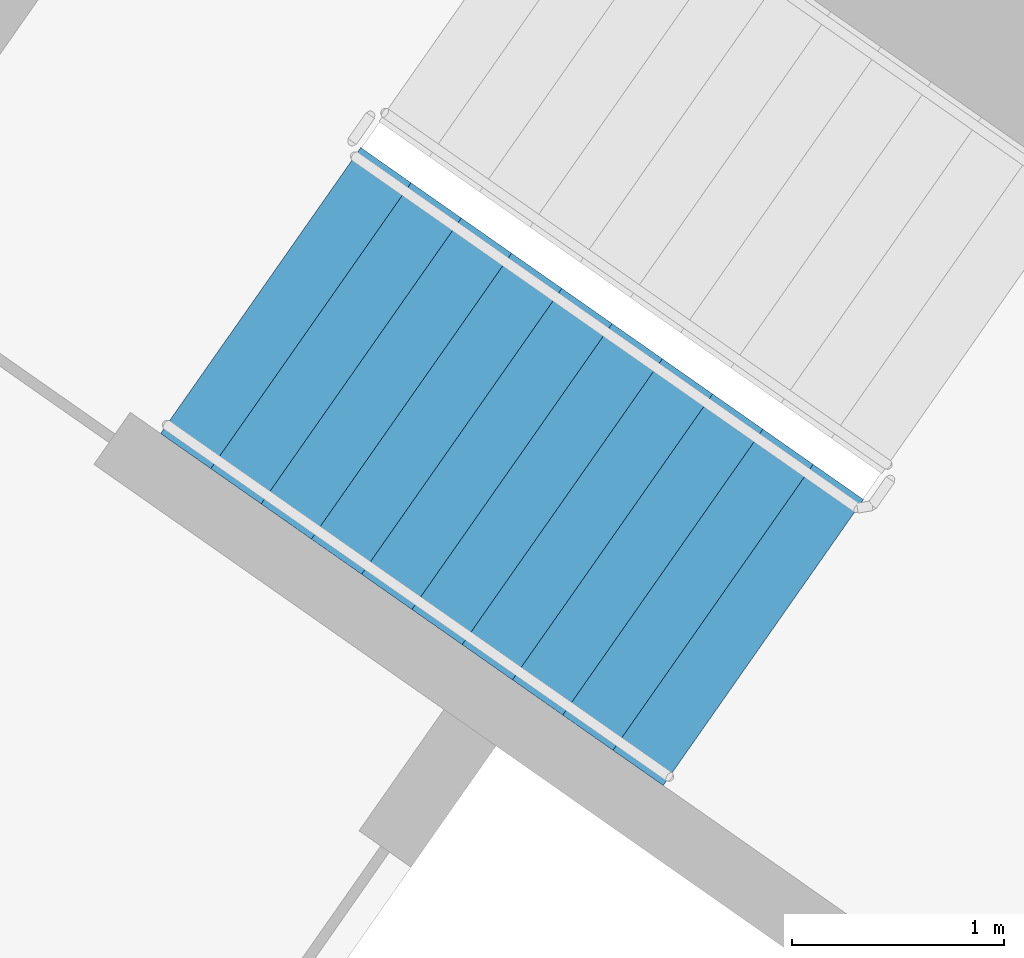
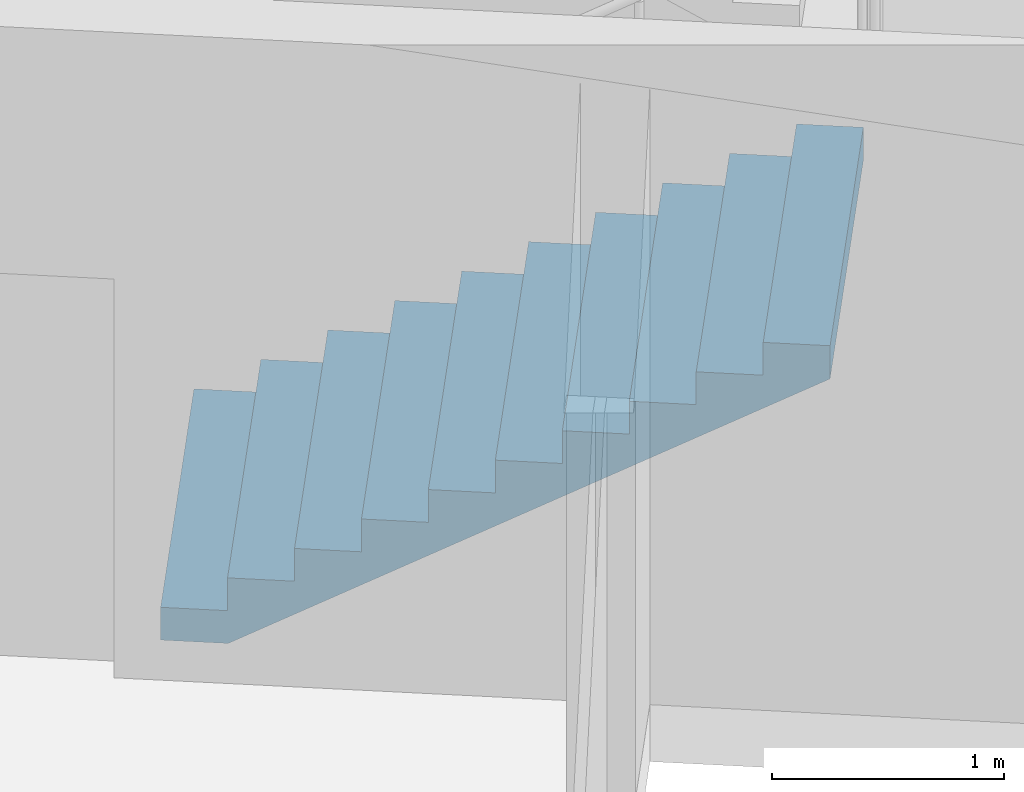
# One storey, part 11 of 27: 1 stair flight, 1 element without a shape of its own.
"""IFC4 building model written with IfcOpenShell, lengths in metres."""

from ifc_helpers import new_model, si_unit, direction, frame, origin, place, context, subcontext, project, spatial, faceted_brep, material, type_object, element, aggregate, save


model = new_model("IFC4")

# Units and contexts
model_context = context("Model", 3, precision=1e-05, world=origin(), true_north=direction((0.0, 1.0)))
body_context = subcontext(model_context, "Body", "Model", "MODEL_VIEW")
ifc_project = project(units=[si_unit("LENGTHUNIT", "METRE"), si_unit("AREAUNIT", "SQUARE_METRE"), si_unit("VOLUMEUNIT", "CUBIC_METRE"), si_unit("PLANEANGLEUNIT", "RADIAN"), si_unit("MASSUNIT", "GRAM", prefix="KILO")], contexts=[model_context])

# Site, building, storey
site_placement = place(None, origin())
site = spatial("IfcSite", under=ifc_project, at=site_placement, CompositionType="ELEMENT")
building_placement = place(site_placement, origin())
building = spatial("IfcBuilding", under=site, at=building_placement, Name="Qamariyya Broadcast Tower", CompositionType="ELEMENT")
storey_placement = place(building_placement, frame((0.0, 0.0, 194.89990234375)))
storey = spatial("IfcBuildingStorey", under=building, at=storey_placement, Name="L46", CompositionType="ELEMENT", Elevation=194.89990234375)

# Stair, stair flight
ifc_material = material(Name="Concrete C50/60", Category="concrete")
stair_type = type_object("IfcStairType", Name="Exit stair 22 risers of 173 mm", PredefinedType="HALF_TURN_STAIR", material=ifc_material)
stair_placement = place(storey_placement, origin())
stair = element("IfcStair", 1, at=stair_placement, inside=storey, type_object=stair_type, Name="L46 Stair W2", PredefinedType="HALF_TURN_STAIR")
stair_flight_type = type_object("IfcStairFlightType", Name="Exit stair flight 11 risers of 173 mm", PredefinedType="STRAIGHT", material=ifc_material)
stair_flight_placement = place(storey_placement, frame((-41.59130859375, -49.15966796875, 0.0), z_axis=(0.0, 0.0, 1.0), x_axis=(0.819152044289, -0.573576436351, 0.0)))
stair_flight = element("IfcStairFlight", 2, at=stair_flight_placement, type_object=stair_flight_type, Name="ST-W2 flight 1", NumberOfRisers=11, NumberOfTreads=10, PredefinedType="STRAIGHT", RiserHeight=0.172727273, TreadLength=0.29, context=body_context, shape_type="Brep", body=[
    faceted_brep([(0.0, 0.824951171875, 0.0), (0.0, 0.824951171875, 0.172607421875), (0.2900390625, 0.824951171875, 0.172607421875), (0.2900390625, 0.824951171875, 0.345458984375), (0.580078125, 0.824951171875, 0.345458984375), (0.580078125, 0.824951171875, 0.51806640625), (0.8701171875, 0.824951171875, 0.51806640625), (0.8701171875, 0.824951171875, 0.69091796875), (1.159912109375, 0.824951171875, 0.69091796875), (1.159912109375, 0.824951171875, 0.863525390625), (1.449951171875, 0.824951171875, 0.863525390625), (1.449951171875, 0.824951171875, 1.036376953125), (1.739990234375, 0.824951171875, 1.036376953125), (1.739990234375, 0.824951171875, 1.208984375), (2.030029296875, 0.824951171875, 1.208984375), (2.030029296875, 0.824951171875, 1.3818359375), (2.320068359375, 0.824951171875, 1.3818359375), (2.320068359375, 0.824951171875, 1.554443359375), (2.610107421875, 0.824951171875, 1.554443359375), (2.610107421875, 0.824951171875, 1.727294921875), (2.89990234375, 0.824951171875, 1.727294921875), (2.89990234375, 0.824951171875, 1.552734375), (0.29296875, 0.824951171875, 0.0), (0.29296875, -0.824951171875, 0.0), (2.89990234375, -0.824951171875, 1.552734375), (2.89990234375, -0.824951171875, 1.727294921875), (2.610107421875, -0.824951171875, 1.727294921875), (2.610107421875, -0.824951171875, 1.554443359375), (2.320068359375, -0.824951171875, 1.554443359375), (2.320068359375, -0.824951171875, 1.3818359375), (2.030029296875, -0.824951171875, 1.3818359375), (2.030029296875, -0.824951171875, 1.208984375), (1.739990234375, -0.824951171875, 1.208984375), (1.739990234375, -0.824951171875, 1.036376953125), (1.449951171875, -0.824951171875, 1.036376953125), (1.449951171875, -0.824951171875, 0.863525390625), (1.159912109375, -0.824951171875, 0.863525390625), (1.159912109375, -0.824951171875, 0.69091796875), (0.8701171875, -0.824951171875, 0.69091796875), (0.8701171875, -0.824951171875, 0.51806640625), (0.580078125, -0.824951171875, 0.51806640625), (0.580078125, -0.824951171875, 0.345458984375), (0.2900390625, -0.824951171875, 0.345458984375), (0.2900390625, -0.824951171875, 0.172607421875), (0.0, -0.824951171875, 0.172607421875), (0.0, -0.824951171875, 0.0), (0.0, 0.10009765625, 0.0), (0.0, 0.086669921875, 0.0), (0.0, 0.0732421875, 0.0), (0.0, 0.06005859375, 0.0), (0.0, 0.046630859375, 0.0), (0.0, 0.033447265625, 0.0), (0.0, 0.02001953125, 0.0), (0.0, 0.006591796875, 0.0), (0.0, -0.006591796875, 0.0), (0.0, -0.02001953125, 0.0), (0.0, -0.033447265625, 0.0), (0.0, -0.046630859375, 0.0), (0.0, -0.06005859375, 0.0), (0.0, -0.0732421875, 0.0), (0.0, -0.086669921875, 0.0), (0.0, -0.10009765625, 0.0), (0.0, -0.10009765625, 0.172607421875), (0.0, -0.086669921875, 0.172607421875), (0.0, -0.0732421875, 0.172607421875), (0.0, -0.06005859375, 0.172607421875), (0.0, -0.046630859375, 0.172607421875), (0.0, -0.033447265625, 0.172607421875), (0.0, -0.02001953125, 0.172607421875), (0.0, -0.006591796875, 0.172607421875), (0.0, 0.006591796875, 0.172607421875), (0.0, 0.02001953125, 0.172607421875), (0.0, 0.033447265625, 0.172607421875), (0.0, 0.046630859375, 0.172607421875), (0.0, 0.06005859375, 0.172607421875), (0.0, 0.0732421875, 0.172607421875), (0.0, 0.086669921875, 0.172607421875), (0.0, 0.10009765625, 0.172607421875), (0.2900390625, -0.10009765625, 0.172607421875), (0.2900390625, -0.086669921875, 0.172607421875), (0.2900390625, -0.0732421875, 0.172607421875), (0.2900390625, -0.06005859375, 0.172607421875), (0.2900390625, -0.046630859375, 0.172607421875), (0.2900390625, -0.033447265625, 0.172607421875), (0.2900390625, -0.02001953125, 0.172607421875), (0.2900390625, -0.006591796875, 0.172607421875), (0.2900390625, 0.006591796875, 0.172607421875), (0.2900390625, 0.02001953125, 0.172607421875), (0.2900390625, 0.033447265625, 0.172607421875), (0.2900390625, 0.046630859375, 0.172607421875), (0.2900390625, 0.06005859375, 0.172607421875), (0.2900390625, 0.0732421875, 0.172607421875), (0.2900390625, 0.086669921875, 0.172607421875), (0.2900390625, 0.10009765625, 0.172607421875), (0.2900390625, -0.10009765625, 0.345458984375), (0.2900390625, -0.086669921875, 0.345458984375), (0.2900390625, -0.0732421875, 0.345458984375), (0.2900390625, -0.06005859375, 0.345458984375), (0.2900390625, -0.046630859375, 0.345458984375), (0.2900390625, -0.033447265625, 0.345458984375), (0.2900390625, -0.02001953125, 0.345458984375), (0.2900390625, -0.006591796875, 0.345458984375), (0.2900390625, 0.006591796875, 0.345458984375), (0.2900390625, 0.02001953125, 0.345458984375), (0.2900390625, 0.033447265625, 0.345458984375), (0.2900390625, 0.046630859375, 0.345458984375), (0.2900390625, 0.06005859375, 0.345458984375), (0.2900390625, 0.0732421875, 0.345458984375), (0.2900390625, 0.086669921875, 0.345458984375), (0.2900390625, 0.10009765625, 0.345458984375), (0.580078125, -0.10009765625, 0.345458984375), (0.580078125, -0.086669921875, 0.345458984375), (0.580078125, -0.0732421875, 0.345458984375), (0.580078125, -0.06005859375, 0.345458984375), (0.580078125, -0.046630859375, 0.345458984375), (0.580078125, -0.033447265625, 0.345458984375), (0.580078125, -0.02001953125, 0.345458984375), (0.580078125, -0.006591796875, 0.345458984375), (0.580078125, 0.006591796875, 0.345458984375), (0.580078125, 0.02001953125, 0.345458984375), (0.580078125, 0.033447265625, 0.345458984375), (0.580078125, 0.046630859375, 0.345458984375), (0.580078125, 0.06005859375, 0.345458984375), (0.580078125, 0.0732421875, 0.345458984375), (0.580078125, 0.086669921875, 0.345458984375), (0.580078125, 0.10009765625, 0.345458984375), (0.580078125, -0.10009765625, 0.51806640625), (0.580078125, -0.086669921875, 0.51806640625), (0.580078125, -0.0732421875, 0.51806640625), (0.580078125, -0.06005859375, 0.51806640625), (0.580078125, -0.046630859375, 0.51806640625), (0.580078125, -0.033447265625, 0.51806640625), (0.580078125, -0.02001953125, 0.51806640625), (0.580078125, -0.006591796875, 0.51806640625), (0.580078125, 0.006591796875, 0.51806640625), (0.580078125, 0.02001953125, 0.51806640625), (0.580078125, 0.033447265625, 0.51806640625), (0.580078125, 0.046630859375, 0.51806640625), (0.580078125, 0.06005859375, 0.51806640625), (0.580078125, 0.0732421875, 0.51806640625), (0.580078125, 0.086669921875, 0.51806640625), (0.580078125, 0.10009765625, 0.51806640625), (0.8701171875, -0.10009765625, 0.51806640625), (0.8701171875, -0.086669921875, 0.51806640625), (0.8701171875, -0.0732421875, 0.51806640625), (0.8701171875, -0.06005859375, 0.51806640625), (0.8701171875, -0.046630859375, 0.51806640625), (0.8701171875, -0.033447265625, 0.51806640625), (0.8701171875, -0.02001953125, 0.51806640625), (0.8701171875, -0.006591796875, 0.51806640625), (0.8701171875, 0.006591796875, 0.51806640625), (0.8701171875, 0.02001953125, 0.51806640625), (0.8701171875, 0.033447265625, 0.51806640625), (0.8701171875, 0.046630859375, 0.51806640625), (0.8701171875, 0.06005859375, 0.51806640625), (0.8701171875, 0.0732421875, 0.51806640625), (0.8701171875, 0.086669921875, 0.51806640625), (0.8701171875, 0.10009765625, 0.51806640625), (0.8701171875, -0.10009765625, 0.69091796875), (0.8701171875, -0.086669921875, 0.69091796875), (0.8701171875, -0.0732421875, 0.69091796875), (0.8701171875, -0.06005859375, 0.69091796875), (0.8701171875, -0.046630859375, 0.69091796875), (0.8701171875, -0.033447265625, 0.69091796875), (0.8701171875, -0.02001953125, 0.69091796875), (0.8701171875, -0.006591796875, 0.69091796875), (0.8701171875, 0.006591796875, 0.69091796875), (0.8701171875, 0.02001953125, 0.69091796875), (0.8701171875, 0.033447265625, 0.69091796875), (0.8701171875, 0.046630859375, 0.69091796875), (0.8701171875, 0.06005859375, 0.69091796875), (0.8701171875, 0.0732421875, 0.69091796875), (0.8701171875, 0.086669921875, 0.69091796875), (0.8701171875, 0.10009765625, 0.69091796875), (1.159912109375, -0.10009765625, 0.69091796875), (1.159912109375, -0.086669921875, 0.69091796875), (1.159912109375, -0.0732421875, 0.69091796875), (1.159912109375, -0.06005859375, 0.69091796875), (1.159912109375, -0.046630859375, 0.69091796875), (1.159912109375, -0.033447265625, 0.69091796875), (1.159912109375, -0.02001953125, 0.69091796875), (1.159912109375, -0.006591796875, 0.69091796875), (1.159912109375, 0.006591796875, 0.69091796875), (1.159912109375, 0.02001953125, 0.69091796875), (1.159912109375, 0.033447265625, 0.69091796875), (1.159912109375, 0.046630859375, 0.69091796875), (1.159912109375, 0.06005859375, 0.69091796875), (1.159912109375, 0.0732421875, 0.69091796875), (1.159912109375, 0.086669921875, 0.69091796875), (1.159912109375, 0.10009765625, 0.69091796875), (1.159912109375, -0.10009765625, 0.863525390625), (1.159912109375, -0.086669921875, 0.863525390625), (1.159912109375, -0.0732421875, 0.863525390625), (1.159912109375, -0.06005859375, 0.863525390625), (1.159912109375, -0.046630859375, 0.863525390625), (1.159912109375, -0.033447265625, 0.863525390625), (1.159912109375, -0.02001953125, 0.863525390625), (1.159912109375, -0.006591796875, 0.863525390625), (1.159912109375, 0.006591796875, 0.863525390625), (1.159912109375, 0.02001953125, 0.863525390625), (1.159912109375, 0.033447265625, 0.863525390625), (1.159912109375, 0.046630859375, 0.863525390625), (1.159912109375, 0.06005859375, 0.863525390625), (1.159912109375, 0.0732421875, 0.863525390625), (1.159912109375, 0.086669921875, 0.863525390625), (1.159912109375, 0.10009765625, 0.863525390625), (1.449951171875, -0.10009765625, 0.863525390625), (1.449951171875, -0.086669921875, 0.863525390625), (1.449951171875, -0.0732421875, 0.863525390625), (1.449951171875, -0.06005859375, 0.863525390625), (1.449951171875, -0.046630859375, 0.863525390625), (1.449951171875, -0.033447265625, 0.863525390625), (1.449951171875, -0.02001953125, 0.863525390625), (1.449951171875, -0.006591796875, 0.863525390625), (1.449951171875, 0.006591796875, 0.863525390625), (1.449951171875, 0.02001953125, 0.863525390625), (1.449951171875, 0.033447265625, 0.863525390625), (1.449951171875, 0.046630859375, 0.863525390625), (1.449951171875, 0.06005859375, 0.863525390625), (1.449951171875, 0.0732421875, 0.863525390625), (1.449951171875, 0.086669921875, 0.863525390625), (1.449951171875, 0.10009765625, 0.863525390625), (1.449951171875, -0.10009765625, 1.036376953125), (1.449951171875, -0.086669921875, 1.036376953125), (1.449951171875, -0.0732421875, 1.036376953125), (1.449951171875, -0.06005859375, 1.036376953125), (1.449951171875, -0.046630859375, 1.036376953125), (1.449951171875, -0.033447265625, 1.036376953125), (1.449951171875, -0.02001953125, 1.036376953125), (1.449951171875, -0.006591796875, 1.036376953125), (1.449951171875, 0.006591796875, 1.036376953125), (1.449951171875, 0.02001953125, 1.036376953125), (1.449951171875, 0.033447265625, 1.036376953125), (1.449951171875, 0.046630859375, 1.036376953125), (1.449951171875, 0.06005859375, 1.036376953125), (1.449951171875, 0.0732421875, 1.036376953125), (1.449951171875, 0.086669921875, 1.036376953125), (1.449951171875, 0.10009765625, 1.036376953125), (1.739990234375, -0.10009765625, 1.036376953125), (1.739990234375, -0.086669921875, 1.036376953125), (1.739990234375, -0.0732421875, 1.036376953125), (1.739990234375, -0.06005859375, 1.036376953125), (1.739990234375, -0.046630859375, 1.036376953125), (1.739990234375, -0.033447265625, 1.036376953125), (1.739990234375, -0.02001953125, 1.036376953125), (1.739990234375, -0.006591796875, 1.036376953125), (1.739990234375, 0.006591796875, 1.036376953125), (1.739990234375, 0.02001953125, 1.036376953125), (1.739990234375, 0.033447265625, 1.036376953125), (1.739990234375, 0.046630859375, 1.036376953125), (1.739990234375, 0.06005859375, 1.036376953125), (1.739990234375, 0.0732421875, 1.036376953125), (1.739990234375, 0.086669921875, 1.036376953125), (1.739990234375, 0.10009765625, 1.036376953125), (1.739990234375, -0.10009765625, 1.208984375), (1.739990234375, -0.086669921875, 1.208984375), (1.739990234375, -0.0732421875, 1.208984375), (1.739990234375, -0.06005859375, 1.208984375), (1.739990234375, -0.046630859375, 1.208984375), (1.739990234375, -0.033447265625, 1.208984375), (1.739990234375, -0.02001953125, 1.208984375), (1.739990234375, -0.006591796875, 1.208984375), (1.739990234375, 0.006591796875, 1.208984375), (1.739990234375, 0.02001953125, 1.208984375), (1.739990234375, 0.033447265625, 1.208984375), (1.739990234375, 0.046630859375, 1.208984375), (1.739990234375, 0.06005859375, 1.208984375), (1.739990234375, 0.0732421875, 1.208984375), (1.739990234375, 0.086669921875, 1.208984375), (1.739990234375, 0.10009765625, 1.208984375), (2.030029296875, -0.10009765625, 1.208984375), (2.030029296875, -0.086669921875, 1.208984375), (2.030029296875, -0.0732421875, 1.208984375), (2.030029296875, -0.06005859375, 1.208984375), (2.030029296875, -0.046630859375, 1.208984375), (2.030029296875, -0.033447265625, 1.208984375), (2.030029296875, -0.02001953125, 1.208984375), (2.030029296875, -0.006591796875, 1.208984375), (2.030029296875, 0.006591796875, 1.208984375), (2.030029296875, 0.02001953125, 1.208984375), (2.030029296875, 0.033447265625, 1.208984375), (2.030029296875, 0.046630859375, 1.208984375), (2.030029296875, 0.06005859375, 1.208984375), (2.030029296875, 0.0732421875, 1.208984375), (2.030029296875, 0.086669921875, 1.208984375), (2.030029296875, 0.10009765625, 1.208984375), (2.030029296875, -0.10009765625, 1.3818359375), (2.030029296875, -0.086669921875, 1.3818359375), (2.030029296875, -0.0732421875, 1.3818359375), (2.030029296875, -0.06005859375, 1.3818359375), (2.030029296875, -0.046630859375, 1.3818359375), (2.030029296875, -0.033447265625, 1.3818359375), (2.030029296875, -0.02001953125, 1.3818359375), (2.030029296875, -0.006591796875, 1.3818359375), (2.030029296875, 0.006591796875, 1.3818359375), (2.030029296875, 0.02001953125, 1.3818359375), (2.030029296875, 0.033447265625, 1.3818359375), (2.030029296875, 0.046630859375, 1.3818359375), (2.030029296875, 0.06005859375, 1.3818359375), (2.030029296875, 0.0732421875, 1.3818359375), (2.030029296875, 0.086669921875, 1.3818359375), (2.030029296875, 0.10009765625, 1.3818359375), (2.320068359375, -0.10009765625, 1.3818359375), (2.320068359375, -0.086669921875, 1.3818359375), (2.320068359375, -0.0732421875, 1.3818359375), (2.320068359375, -0.06005859375, 1.3818359375), (2.320068359375, -0.046630859375, 1.3818359375), (2.320068359375, -0.033447265625, 1.3818359375), (2.320068359375, -0.02001953125, 1.3818359375), (2.320068359375, -0.006591796875, 1.3818359375), (2.320068359375, 0.006591796875, 1.3818359375), (2.320068359375, 0.02001953125, 1.3818359375), (2.320068359375, 0.033447265625, 1.3818359375), (2.320068359375, 0.046630859375, 1.3818359375), (2.320068359375, 0.06005859375, 1.3818359375), (2.320068359375, 0.0732421875, 1.3818359375), (2.320068359375, 0.086669921875, 1.3818359375), (2.320068359375, 0.10009765625, 1.3818359375), (2.320068359375, -0.10009765625, 1.554443359375), (2.320068359375, -0.086669921875, 1.554443359375), (2.320068359375, -0.0732421875, 1.554443359375), (2.320068359375, -0.06005859375, 1.554443359375), (2.320068359375, -0.046630859375, 1.554443359375), (2.320068359375, -0.033447265625, 1.554443359375), (2.320068359375, -0.02001953125, 1.554443359375), (2.320068359375, -0.006591796875, 1.554443359375), (2.320068359375, 0.006591796875, 1.554443359375), (2.320068359375, 0.02001953125, 1.554443359375), (2.320068359375, 0.033447265625, 1.554443359375), (2.320068359375, 0.046630859375, 1.554443359375), (2.320068359375, 0.06005859375, 1.554443359375), (2.320068359375, 0.0732421875, 1.554443359375), (2.320068359375, 0.086669921875, 1.554443359375), (2.320068359375, 0.10009765625, 1.554443359375), (2.610107421875, -0.10009765625, 1.554443359375), (2.610107421875, -0.086669921875, 1.554443359375), (2.610107421875, -0.0732421875, 1.554443359375), (2.610107421875, -0.06005859375, 1.554443359375), (2.610107421875, -0.046630859375, 1.554443359375), (2.610107421875, -0.033447265625, 1.554443359375), (2.610107421875, -0.02001953125, 1.554443359375), (2.610107421875, -0.006591796875, 1.554443359375), (2.610107421875, 0.006591796875, 1.554443359375), (2.610107421875, 0.02001953125, 1.554443359375), (2.610107421875, 0.033447265625, 1.554443359375), (2.610107421875, 0.046630859375, 1.554443359375), (2.610107421875, 0.06005859375, 1.554443359375), (2.610107421875, 0.0732421875, 1.554443359375), (2.610107421875, 0.086669921875, 1.554443359375), (2.610107421875, 0.10009765625, 1.554443359375), (2.610107421875, -0.10009765625, 1.727294921875), (2.610107421875, -0.086669921875, 1.727294921875), (2.610107421875, -0.0732421875, 1.727294921875), (2.610107421875, -0.06005859375, 1.727294921875), (2.610107421875, -0.046630859375, 1.727294921875), (2.610107421875, -0.033447265625, 1.727294921875), (2.610107421875, -0.02001953125, 1.727294921875), (2.610107421875, -0.006591796875, 1.727294921875), (2.610107421875, 0.006591796875, 1.727294921875), (2.610107421875, 0.02001953125, 1.727294921875), (2.610107421875, 0.033447265625, 1.727294921875), (2.610107421875, 0.046630859375, 1.727294921875), (2.610107421875, 0.06005859375, 1.727294921875), (2.610107421875, 0.0732421875, 1.727294921875), (2.610107421875, 0.086669921875, 1.727294921875), (2.610107421875, 0.10009765625, 1.727294921875), (2.89990234375, -0.10009765625, 1.727294921875), (2.89990234375, -0.086669921875, 1.727294921875), (2.89990234375, -0.0732421875, 1.727294921875), (2.89990234375, -0.06005859375, 1.727294921875), (2.89990234375, -0.046630859375, 1.727294921875), (2.89990234375, -0.033447265625, 1.727294921875), (2.89990234375, -0.02001953125, 1.727294921875), (2.89990234375, -0.006591796875, 1.727294921875), (2.89990234375, 0.006591796875, 1.727294921875), (2.89990234375, 0.02001953125, 1.727294921875), (2.89990234375, 0.033447265625, 1.727294921875), (2.89990234375, 0.046630859375, 1.727294921875), (2.89990234375, 0.06005859375, 1.727294921875), (2.89990234375, 0.0732421875, 1.727294921875), (2.89990234375, 0.086669921875, 1.727294921875), (2.89990234375, 0.10009765625, 1.727294921875), (2.89990234375, -0.10009765625, 1.552734375), (2.89990234375, -0.086669921875, 1.552734375), (2.89990234375, -0.0732421875, 1.552734375), (2.89990234375, -0.06005859375, 1.552734375), (2.89990234375, -0.046630859375, 1.552734375), (2.89990234375, -0.033447265625, 1.552734375), (2.89990234375, -0.02001953125, 1.552734375), (2.89990234375, -0.006591796875, 1.552734375), (2.89990234375, 0.006591796875, 1.552734375), (2.89990234375, 0.02001953125, 1.552734375), (2.89990234375, 0.033447265625, 1.552734375), (2.89990234375, 0.046630859375, 1.552734375), (2.89990234375, 0.06005859375, 1.552734375), (2.89990234375, 0.0732421875, 1.552734375), (2.89990234375, 0.086669921875, 1.552734375), (2.89990234375, 0.10009765625, 1.552734375), (0.29296875, -0.10009765625, 0.0), (0.29296875, -0.086669921875, 0.0), (0.29296875, -0.0732421875, 0.0), (0.29296875, -0.06005859375, 0.0), (0.29296875, -0.046630859375, 0.0), (0.29296875, -0.033447265625, 0.0), (0.29296875, -0.02001953125, 0.0), (0.29296875, -0.006591796875, 0.0), (0.29296875, 0.006591796875, 0.0), (0.29296875, 0.02001953125, 0.0), (0.29296875, 0.033447265625, 0.0), (0.29296875, 0.046630859375, 0.0), (0.29296875, 0.06005859375, 0.0), (0.29296875, 0.0732421875, 0.0), (0.29296875, 0.086669921875, 0.0), (0.29296875, 0.10009765625, 0.0)], [[[0, 1, 2, 3, 4, 5, 6, 7, 8, 9, 10, 11, 12, 13, 14, 15, 16, 17, 18, 19, 20, 21, 22]], [[23, 24, 25, 26, 27, 28, 29, 30, 31, 32, 33, 34, 35, 36, 37, 38, 39, 40, 41, 42, 43, 44, 45]], [[0, 46, 47, 48, 49, 50, 51, 52, 53, 54, 55, 56, 57, 58, 59, 60, 61, 45, 44, 62, 63, 64, 65, 66, 67, 68, 69, 70, 71, 72, 73, 74, 75, 76, 77, 1]], [[1, 77, 76, 75, 74, 73, 72, 71, 70, 69, 68, 67, 66, 65, 64, 63, 62, 44, 43, 78, 79, 80, 81, 82, 83, 84, 85, 86, 87, 88, 89, 90, 91, 92, 93, 2]], [[2, 93, 92, 91, 90, 89, 88, 87, 86, 85, 84, 83, 82, 81, 80, 79, 78, 43, 42, 94, 95, 96, 97, 98, 99, 100, 101, 102, 103, 104, 105, 106, 107, 108, 109, 3]], [[3, 109, 108, 107, 106, 105, 104, 103, 102, 101, 100, 99, 98, 97, 96, 95, 94, 42, 41, 110, 111, 112, 113, 114, 115, 116, 117, 118, 119, 120, 121, 122, 123, 124, 125, 4]], [[4, 125, 124, 123, 122, 121, 120, 119, 118, 117, 116, 115, 114, 113, 112, 111, 110, 41, 40, 126, 127, 128, 129, 130, 131, 132, 133, 134, 135, 136, 137, 138, 139, 140, 141, 5]], [[5, 141, 140, 139, 138, 137, 136, 135, 134, 133, 132, 131, 130, 129, 128, 127, 126, 40, 39, 142, 143, 144, 145, 146, 147, 148, 149, 150, 151, 152, 153, 154, 155, 156, 157, 6]], [[6, 157, 156, 155, 154, 153, 152, 151, 150, 149, 148, 147, 146, 145, 144, 143, 142, 39, 38, 158, 159, 160, 161, 162, 163, 164, 165, 166, 167, 168, 169, 170, 171, 172, 173, 7]], [[7, 173, 172, 171, 170, 169, 168, 167, 166, 165, 164, 163, 162, 161, 160, 159, 158, 38, 37, 174, 175, 176, 177, 178, 179, 180, 181, 182, 183, 184, 185, 186, 187, 188, 189, 8]], [[8, 189, 188, 187, 186, 185, 184, 183, 182, 181, 180, 179, 178, 177, 176, 175, 174, 37, 36, 190, 191, 192, 193, 194, 195, 196, 197, 198, 199, 200, 201, 202, 203, 204, 205, 9]], [[9, 205, 204, 203, 202, 201, 200, 199, 198, 197, 196, 195, 194, 193, 192, 191, 190, 36, 35, 206, 207, 208, 209, 210, 211, 212, 213, 214, 215, 216, 217, 218, 219, 220, 221, 10]], [[10, 221, 220, 219, 218, 217, 216, 215, 214, 213, 212, 211, 210, 209, 208, 207, 206, 35, 34, 222, 223, 224, 225, 226, 227, 228, 229, 230, 231, 232, 233, 234, 235, 236, 237, 11]], [[11, 237, 236, 235, 234, 233, 232, 231, 230, 229, 228, 227, 226, 225, 224, 223, 222, 34, 33, 238, 239, 240, 241, 242, 243, 244, 245, 246, 247, 248, 249, 250, 251, 252, 253, 12]], [[12, 253, 252, 251, 250, 249, 248, 247, 246, 245, 244, 243, 242, 241, 240, 239, 238, 33, 32, 254, 255, 256, 257, 258, 259, 260, 261, 262, 263, 264, 265, 266, 267, 268, 269, 13]], [[13, 269, 268, 267, 266, 265, 264, 263, 262, 261, 260, 259, 258, 257, 256, 255, 254, 32, 31, 270, 271, 272, 273, 274, 275, 276, 277, 278, 279, 280, 281, 282, 283, 284, 285, 14]], [[14, 285, 284, 283, 282, 281, 280, 279, 278, 277, 276, 275, 274, 273, 272, 271, 270, 31, 30, 286, 287, 288, 289, 290, 291, 292, 293, 294, 295, 296, 297, 298, 299, 300, 301, 15]], [[15, 301, 300, 299, 298, 297, 296, 295, 294, 293, 292, 291, 290, 289, 288, 287, 286, 30, 29, 302, 303, 304, 305, 306, 307, 308, 309, 310, 311, 312, 313, 314, 315, 316, 317, 16]], [[16, 317, 316, 315, 314, 313, 312, 311, 310, 309, 308, 307, 306, 305, 304, 303, 302, 29, 28, 318, 319, 320, 321, 322, 323, 324, 325, 326, 327, 328, 329, 330, 331, 332, 333, 17]], [[17, 333, 332, 331, 330, 329, 328, 327, 326, 325, 324, 323, 322, 321, 320, 319, 318, 28, 27, 334, 335, 336, 337, 338, 339, 340, 341, 342, 343, 344, 345, 346, 347, 348, 349, 18]], [[18, 349, 348, 347, 346, 345, 344, 343, 342, 341, 340, 339, 338, 337, 336, 335, 334, 27, 26, 350, 351, 352, 353, 354, 355, 356, 357, 358, 359, 360, 361, 362, 363, 364, 365, 19]], [[19, 365, 364, 363, 362, 361, 360, 359, 358, 357, 356, 355, 354, 353, 352, 351, 350, 26, 25, 366, 367, 368, 369, 370, 371, 372, 373, 374, 375, 376, 377, 378, 379, 380, 381, 20]], [[20, 381, 380, 379, 378, 377, 376, 375, 374, 373, 372, 371, 370, 369, 368, 367, 366, 25, 24, 382, 383, 384, 385, 386, 387, 388, 389, 390, 391, 392, 393, 394, 395, 396, 397, 21]], [[21, 397, 396, 395, 394, 393, 392, 391, 390, 389, 388, 387, 386, 385, 384, 383, 382, 24, 23, 398, 399, 400, 401, 402, 403, 404, 405, 406, 407, 408, 409, 410, 411, 412, 413, 22]], [[22, 413, 412, 411, 410, 409, 408, 407, 406, 405, 404, 403, 402, 401, 400, 399, 398, 23, 45, 61, 60, 59, 58, 57, 56, 55, 54, 53, 52, 51, 50, 49, 48, 47, 46, 0]]]),
])
aggregate(stair, [stair_flight])

save(model, "model.ifc")
